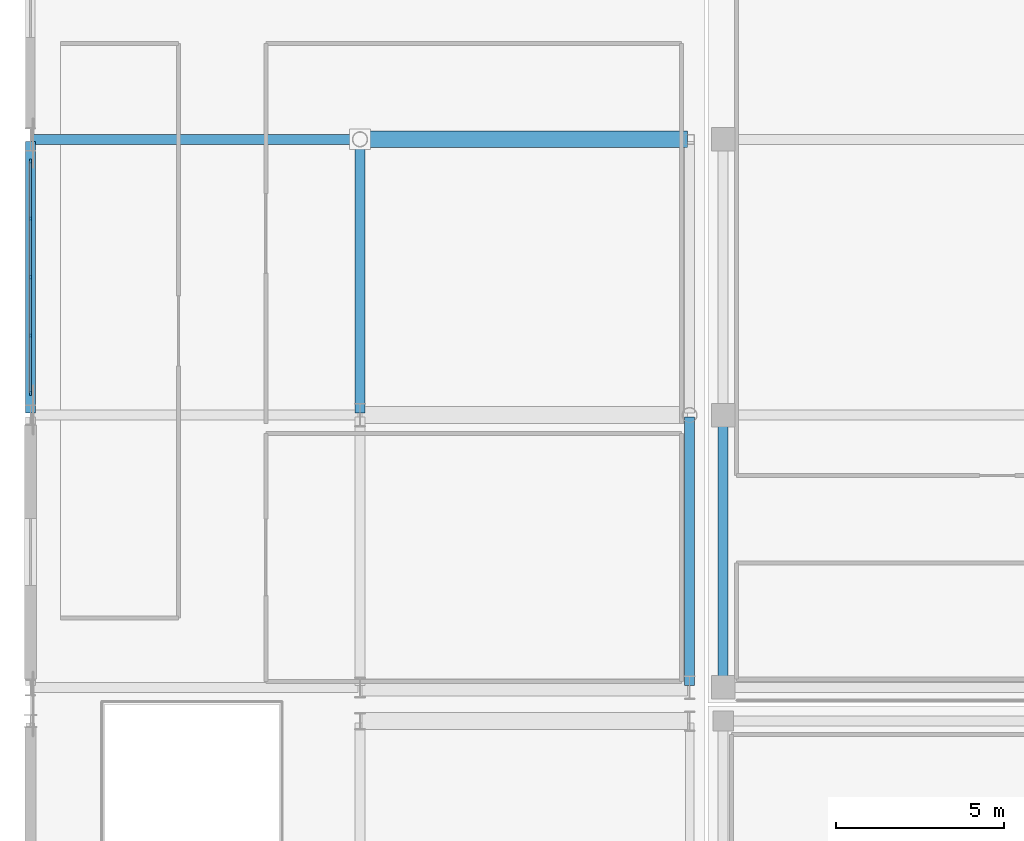
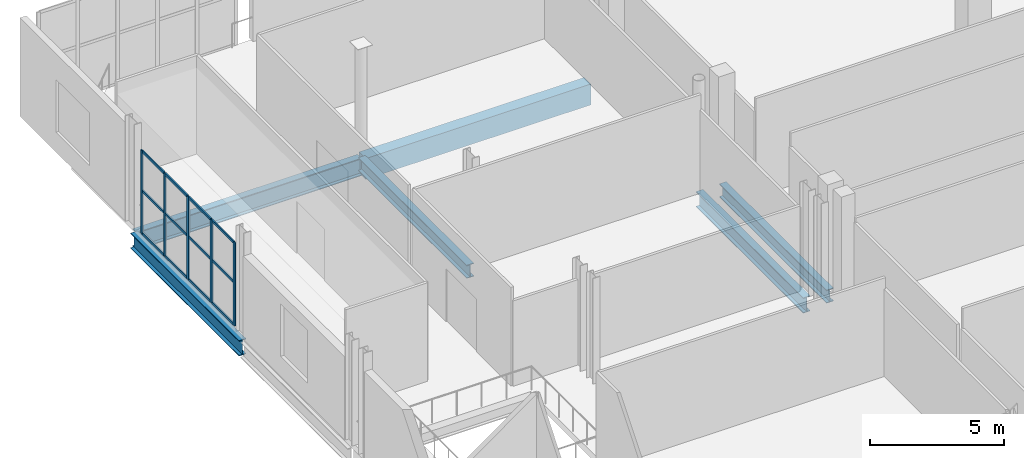
# One storey, part 60 of 142: 17 members, 6 beams, 1 element without a shape of its own.
"""IFC4 building model written with IfcOpenShell, lengths in metres."""

from ifc_helpers import new_model, si_unit, direction, frame, origin, origin_2d, place, context, subcontext, project, spatial, rectangle, i_section, extrude, material, material_profile, profile_set, type_object, element, aggregate, save


model = new_model("IFC4")

# Units and contexts
model_context = context("Model", 3, precision=1e-05, world=origin(), true_north=direction((0.0, 1.0)))
body_context = subcontext(model_context, "Body", "Model", "MODEL_VIEW")
ifc_project = project(units=[si_unit("LENGTHUNIT", "METRE"), si_unit("AREAUNIT", "SQUARE_METRE"), si_unit("VOLUMEUNIT", "CUBIC_METRE"), si_unit("PLANEANGLEUNIT", "RADIAN"), si_unit("MASSUNIT", "GRAM", prefix="KILO")], contexts=[model_context])

# Site, building, storey
site_placement = place(None, origin())
site = spatial("IfcSite", under=ifc_project, at=site_placement, CompositionType="ELEMENT")
building_placement = place(site_placement, origin())
building = spatial("IfcBuilding", under=site, at=building_placement, Name="Koshinbarg Plaza Stadium", CompositionType="ELEMENT")
storey_placement = place(building_placement, frame((0.0, 0.0, 10.199951171875)))
storey = spatial("IfcBuildingStorey", under=building, at=storey_placement, Name="L02", CompositionType="ELEMENT", Elevation=10.199951171875)

# Beams
ifc_material_1 = material(Name="Concrete C40/50", Category="concrete")
ifc_material_profile_1 = material_profile(ifc_material_1, rectangle(XDim=0.5, YDim=0.949951171875, at=origin_2d()), Name="RC 500x950")
ifc_profile_set_1 = profile_set([ifc_material_profile_1], Name="Concrete C40/50")
beam_type_1 = type_object("IfcBeamType", Name="BM-RCG-06", PredefinedType="USERDEFINED", material=ifc_profile_set_1)
beam_1_placement = place(storey_placement, frame((13.860107421875, 143.800048828125, -0.77490234375), z_axis=(1.0, 0.0, 0.0), x_axis=(0.0, 1.0, 0.0)))
element("IfcBeam", 1, at=beam_1_placement, inside=storey, type_object=beam_type_1, Name="L02 X girder U/3-4", ObjectType="GIRDER", PredefinedType="USERDEFINED", context=body_context, shape_type="SweptSolid", body=[
    extrude(rectangle(XDim=0.5, YDim=0.949951171875, at=origin_2d()), origin(), (0.0, 0.0, 1.0), 9.679931640625),
])
ifc_material_2 = material(Name="Steel S355", Category="steel")
ifc_material_profile_2 = material_profile(ifc_material_2, i_section(OverallWidth=0.300048828125, OverallDepth=0.60009765625, WebThickness=0.015380859375, FlangeThickness=0.030029296875, at=origin_2d()), Name="HEB 600")
ifc_profile_set_2 = profile_set([ifc_material_profile_2], Name="Steel S355")
beam_type_2 = type_object("IfcBeamType", Name="BM-SGIR-02", PredefinedType="USERDEFINED", material=ifc_profile_set_2)
beam_2_placement = place(storey_placement, frame((13.800048828125, 135.659912109375, -0.599853515625), z_axis=(0.0, 1.0, 0.0), x_axis=(-1.0, 0.0, 0.0)))
element("IfcBeam", 2, at=beam_2_placement, inside=storey, type_object=beam_type_2, Name="L02 Y girder 3/T-U", ObjectType="GIRDER", PredefinedType="USERDEFINED", context=body_context, shape_type="SweptSolid", body=[
    extrude(i_section(OverallWidth=0.300048828125, OverallDepth=0.60009765625, WebThickness=0.015380859375, FlangeThickness=0.030029296875, at=origin_2d()), origin(), (0.0, 0.0, 1.0), 8.080078125),
])
beam_3_placement = place(storey_placement, frame((24.60009765625, 127.56005859375, -0.599853515625), z_axis=(0.0, 1.0, 0.0), x_axis=(-1.0, 0.0, 0.0)))
element("IfcBeam", 3, at=beam_3_placement, inside=storey, type_object=beam_type_2, Name="L02 Y girder 5/S-T", ObjectType="GIRDER", PredefinedType="USERDEFINED", context=body_context, shape_type="SweptSolid", body=[
    extrude(i_section(OverallWidth=0.300048828125, OverallDepth=0.60009765625, WebThickness=0.015380859375, FlangeThickness=0.030029296875, at=origin_2d()), origin(), (0.0, 0.0, 1.0), 7.97998046875),
])
ifc_material_profile_3 = material_profile(ifc_material_2, i_section(OverallWidth=0.300048828125, OverallDepth=0.699951171875, WebThickness=0.01708984375, FlangeThickness=0.031982421875, at=origin_2d()), Name="HEB 700")
ifc_profile_set_3 = profile_set([ifc_material_profile_3], Name="Steel S355")
beam_type_3 = type_object("IfcBeamType", Name="BM-SGIR-03", PredefinedType="USERDEFINED", material=ifc_profile_set_3)
beam_4_placement = place(storey_placement, frame((4.0, 135.659912109375, -0.64990234375), z_axis=(0.0, 1.0, 0.0), x_axis=(-1.0, 0.0, 0.0)))
element("IfcBeam", 4, at=beam_4_placement, inside=storey, type_object=beam_type_3, Name="L02 Y girder 2/T-U", ObjectType="GIRDER", PredefinedType="USERDEFINED", context=body_context, shape_type="SweptSolid", body=[
    extrude(i_section(OverallWidth=0.300048828125, OverallDepth=0.699951171875, WebThickness=0.01708984375, FlangeThickness=0.031982421875, at=origin_2d()), origin(), (0.0, 0.0, 1.0), 8.080078125),
])
beam_5_placement = place(storey_placement, frame((23.60009765625, 127.56005859375, -0.64990234375), z_axis=(0.0, 1.0, 0.0), x_axis=(-1.0, 0.0, 0.0)))
element("IfcBeam", 5, at=beam_5_placement, inside=storey, type_object=beam_type_3, Name="L02 Y girder 4/S-T", ObjectType="GIRDER", PredefinedType="USERDEFINED", context=body_context, shape_type="SweptSolid", body=[
    extrude(i_section(OverallWidth=0.300048828125, OverallDepth=0.699951171875, WebThickness=0.01708984375, FlangeThickness=0.031982421875, at=origin_2d()), origin(), (0.0, 0.0, 1.0), 7.97998046875),
])
ifc_material_profile_4 = material_profile(ifc_material_2, i_section(OverallWidth=0.300048828125, OverallDepth=0.800048828125, WebThickness=0.017578125, FlangeThickness=0.032958984375, at=origin_2d()), Name="HEB 800")
ifc_profile_set_4 = profile_set([ifc_material_profile_4], Name="Steel S355")
beam_type_4 = type_object("IfcBeamType", Name="BM-SGIR-04", PredefinedType="USERDEFINED", material=ifc_profile_set_4)
beam_6_placement = place(storey_placement, frame((4.06005859375, 143.800048828125, -0.699951171875), z_axis=(1.0, 0.0, 0.0), x_axis=(0.0, 1.0, 0.0)))
element("IfcBeam", 6, at=beam_6_placement, inside=storey, type_object=beam_type_4, Name="L02 X girder U/2-3", ObjectType="GIRDER", PredefinedType="USERDEFINED", context=body_context, shape_type="SweptSolid", body=[
    extrude(i_section(OverallWidth=0.300048828125, OverallDepth=0.800048828125, WebThickness=0.017578125, FlangeThickness=0.032958984375, at=origin_2d()), origin(), (0.0, 0.0, 1.0), 9.679931640625),
])

# Curtain wall, members
ifc_material_3 = material(Name="Thermally broken anodised aluminium and low-E double glazing", Category="aluminium")
curtain_wall_type = type_object("IfcCurtainWallType", Name="CW-SYS-13", PredefinedType="NOTDEFINED", material=ifc_material_3)
curtain_wall_placement = place(storey_placement, origin())
curtain_wall = element("IfcCurtainWall", 7, at=curtain_wall_placement, inside=storey, type_object=curtain_wall_type, Name="L02 unitised curtain wall CW-L02-044", PredefinedType="NOTDEFINED")
ifc_material_4 = material(Name="Anodised aluminium mullion", Category="aluminium")
ifc_material_profile_5 = material_profile(ifc_material_4, rectangle(XDim=0.06005859375, YDim=0.139892578125, at=origin_2d()), Name="ALU 60x140")
ifc_profile_set_5 = profile_set([ifc_material_profile_5], Name="Anodised aluminium mullion")
member_type_1 = type_object("IfcMemberType", Name="CW-MUL-01", PredefinedType="MULLION", material=ifc_profile_set_5)
member_1_placement = place(storey_placement, frame((4.0, 136.25, 0.0), z_axis=(0.0, 0.0, 1.0), x_axis=(-1.0, 0.0, 0.0)))
member_1 = element("IfcMember", 8, at=member_1_placement, type_object=member_type_1, Name="CW13 mullion 1", PredefinedType="MULLION", context=body_context, shape_type="SweptSolid", body=[
    extrude(rectangle(XDim=0.06005859375, YDim=0.139892578125, at=origin_2d()), origin(), (0.0, 0.0, 1.0), 3.780029296875),
])
member_2_placement = place(storey_placement, frame((4.0, 137.9599609375, 0.0), z_axis=(0.0, 0.0, 1.0), x_axis=(-1.0, 0.0, 0.0)))
member_2 = element("IfcMember", 9, at=member_2_placement, type_object=member_type_1, Name="CW13 mullion 2", PredefinedType="MULLION", context=body_context, shape_type="SweptSolid", body=[
    extrude(rectangle(XDim=0.06005859375, YDim=0.139892578125, at=origin_2d()), origin(), (0.0, 0.0, 1.0), 3.780029296875),
])
member_3_placement = place(storey_placement, frame((4.0, 139.699951171875, 0.0), z_axis=(0.0, 0.0, 1.0), x_axis=(-1.0, 0.0, 0.0)))
member_3 = element("IfcMember", 10, at=member_3_placement, type_object=member_type_1, Name="CW13 mullion 3", PredefinedType="MULLION", context=body_context, shape_type="SweptSolid", body=[
    extrude(rectangle(XDim=0.06005859375, YDim=0.139892578125, at=origin_2d()), origin(), (0.0, 0.0, 1.0), 3.780029296875),
])
member_4_placement = place(storey_placement, frame((4.0, 141.43994140625, 0.0), z_axis=(0.0, 0.0, 1.0), x_axis=(-1.0, 0.0, 0.0)))
member_4 = element("IfcMember", 11, at=member_4_placement, type_object=member_type_1, Name="CW13 mullion 4", PredefinedType="MULLION", context=body_context, shape_type="SweptSolid", body=[
    extrude(rectangle(XDim=0.06005859375, YDim=0.139892578125, at=origin_2d()), origin(), (0.0, 0.0, 1.0), 3.780029296875),
])
member_5_placement = place(storey_placement, frame((4.0, 143.14990234375, 0.0), z_axis=(0.0, 0.0, 1.0), x_axis=(-1.0, 0.0, 0.0)))
member_5 = element("IfcMember", 12, at=member_5_placement, type_object=member_type_1, Name="CW13 mullion 5", PredefinedType="MULLION", context=body_context, shape_type="SweptSolid", body=[
    extrude(rectangle(XDim=0.06005859375, YDim=0.139892578125, at=origin_2d()), origin(), (0.0, 0.0, 1.0), 3.780029296875),
])
ifc_material_5 = material(Name="Anodised aluminium transom", Category="aluminium")
ifc_material_profile_6 = material_profile(ifc_material_5, rectangle(XDim=0.06005859375, YDim=0.110107421875, at=origin_2d()), Name="ALU 60x110")
ifc_profile_set_6 = profile_set([ifc_material_profile_6], Name="Anodised aluminium transom")
member_type_2 = type_object("IfcMemberType", Name="CW-TRN-01", PredefinedType="USERDEFINED", material=ifc_profile_set_6)
member_6_placement = place(storey_placement, frame((4.0, 136.280029296875, 0.030029296875), z_axis=(0.0, 1.0, 0.0), x_axis=(-1.0, 0.0, 0.0)))
member_6 = element("IfcMember", 13, at=member_6_placement, type_object=member_type_2, Name="CW13 transom 1.1", ObjectType="TRANSOM", PredefinedType="USERDEFINED", context=body_context, shape_type="SweptSolid", body=[
    extrude(rectangle(XDim=0.06005859375, YDim=0.110107421875, at=origin_2d()), origin(), (0.0, 0.0, 1.0), 1.64990234375),
])
member_7_placement = place(storey_placement, frame((4.0, 136.280029296875, 1.965576171875), z_axis=(0.0, 1.0, 0.0), x_axis=(-1.0, 0.0, 0.0)))
member_7 = element("IfcMember", 14, at=member_7_placement, type_object=member_type_2, Name="CW13 transom 1.2", ObjectType="TRANSOM", PredefinedType="USERDEFINED", context=body_context, shape_type="SweptSolid", body=[
    extrude(rectangle(XDim=0.06005859375, YDim=0.110107421875, at=origin_2d()), origin(), (0.0, 0.0, 1.0), 1.64990234375),
])
member_8_placement = place(storey_placement, frame((4.0, 136.280029296875, 3.75), z_axis=(0.0, 1.0, 0.0), x_axis=(-1.0, 0.0, 0.0)))
member_8 = element("IfcMember", 15, at=member_8_placement, type_object=member_type_2, Name="CW13 transom 1.3", ObjectType="TRANSOM", PredefinedType="USERDEFINED", context=body_context, shape_type="SweptSolid", body=[
    extrude(rectangle(XDim=0.06005859375, YDim=0.110107421875, at=origin_2d()), origin(), (0.0, 0.0, 1.0), 1.64990234375),
])
member_9_placement = place(storey_placement, frame((4.0, 137.989990234375, 0.030029296875), z_axis=(0.0, 1.0, 0.0), x_axis=(-1.0, 0.0, 0.0)))
member_9 = element("IfcMember", 16, at=member_9_placement, type_object=member_type_2, Name="CW13 transom 2.1", ObjectType="TRANSOM", PredefinedType="USERDEFINED", context=body_context, shape_type="SweptSolid", body=[
    extrude(rectangle(XDim=0.06005859375, YDim=0.110107421875, at=origin_2d()), origin(), (0.0, 0.0, 1.0), 1.679931640625),
])
member_10_placement = place(storey_placement, frame((4.0, 137.989990234375, 1.965576171875), z_axis=(0.0, 1.0, 0.0), x_axis=(-1.0, 0.0, 0.0)))
member_10 = element("IfcMember", 17, at=member_10_placement, type_object=member_type_2, Name="CW13 transom 2.2", ObjectType="TRANSOM", PredefinedType="USERDEFINED", context=body_context, shape_type="SweptSolid", body=[
    extrude(rectangle(XDim=0.06005859375, YDim=0.110107421875, at=origin_2d()), origin(), (0.0, 0.0, 1.0), 1.679931640625),
])
member_11_placement = place(storey_placement, frame((4.0, 137.989990234375, 3.75), z_axis=(0.0, 1.0, 0.0), x_axis=(-1.0, 0.0, 0.0)))
member_11 = element("IfcMember", 18, at=member_11_placement, type_object=member_type_2, Name="CW13 transom 2.3", ObjectType="TRANSOM", PredefinedType="USERDEFINED", context=body_context, shape_type="SweptSolid", body=[
    extrude(rectangle(XDim=0.06005859375, YDim=0.110107421875, at=origin_2d()), origin(), (0.0, 0.0, 1.0), 1.679931640625),
])
member_12_placement = place(storey_placement, frame((4.0, 139.72998046875, 0.030029296875), z_axis=(0.0, 1.0, 0.0), x_axis=(-1.0, 0.0, 0.0)))
member_12 = element("IfcMember", 19, at=member_12_placement, type_object=member_type_2, Name="CW13 transom 3.1", ObjectType="TRANSOM", PredefinedType="USERDEFINED", context=body_context, shape_type="SweptSolid", body=[
    extrude(rectangle(XDim=0.06005859375, YDim=0.110107421875, at=origin_2d()), origin(), (0.0, 0.0, 1.0), 1.679931640625),
])
member_13_placement = place(storey_placement, frame((4.0, 139.72998046875, 1.965576171875), z_axis=(0.0, 1.0, 0.0), x_axis=(-1.0, 0.0, 0.0)))
member_13 = element("IfcMember", 20, at=member_13_placement, type_object=member_type_2, Name="CW13 transom 3.2", ObjectType="TRANSOM", PredefinedType="USERDEFINED", context=body_context, shape_type="SweptSolid", body=[
    extrude(rectangle(XDim=0.06005859375, YDim=0.110107421875, at=origin_2d()), origin(), (0.0, 0.0, 1.0), 1.679931640625),
])
member_14_placement = place(storey_placement, frame((4.0, 139.72998046875, 3.75), z_axis=(0.0, 1.0, 0.0), x_axis=(-1.0, 0.0, 0.0)))
member_14 = element("IfcMember", 21, at=member_14_placement, type_object=member_type_2, Name="CW13 transom 3.3", ObjectType="TRANSOM", PredefinedType="USERDEFINED", context=body_context, shape_type="SweptSolid", body=[
    extrude(rectangle(XDim=0.06005859375, YDim=0.110107421875, at=origin_2d()), origin(), (0.0, 0.0, 1.0), 1.679931640625),
])
member_15_placement = place(storey_placement, frame((4.0, 141.469970703125, 0.030029296875), z_axis=(0.0, 1.0, 0.0), x_axis=(-1.0, 0.0, 0.0)))
member_15 = element("IfcMember", 22, at=member_15_placement, type_object=member_type_2, Name="CW13 transom 4.1", ObjectType="TRANSOM", PredefinedType="USERDEFINED", context=body_context, shape_type="SweptSolid", body=[
    extrude(rectangle(XDim=0.06005859375, YDim=0.110107421875, at=origin_2d()), origin(), (0.0, 0.0, 1.0), 1.650146484375),
])
member_16_placement = place(storey_placement, frame((4.0, 141.469970703125, 1.965576171875), z_axis=(0.0, 1.0, 0.0), x_axis=(-1.0, 0.0, 0.0)))
member_16 = element("IfcMember", 23, at=member_16_placement, type_object=member_type_2, Name="CW13 transom 4.2", ObjectType="TRANSOM", PredefinedType="USERDEFINED", context=body_context, shape_type="SweptSolid", body=[
    extrude(rectangle(XDim=0.06005859375, YDim=0.110107421875, at=origin_2d()), origin(), (0.0, 0.0, 1.0), 1.650146484375),
])
member_17_placement = place(storey_placement, frame((4.0, 141.469970703125, 3.75), z_axis=(0.0, 1.0, 0.0), x_axis=(-1.0, 0.0, 0.0)))
member_17 = element("IfcMember", 24, at=member_17_placement, type_object=member_type_2, Name="CW13 transom 4.3", ObjectType="TRANSOM", PredefinedType="USERDEFINED", context=body_context, shape_type="SweptSolid", body=[
    extrude(rectangle(XDim=0.06005859375, YDim=0.110107421875, at=origin_2d()), origin(), (0.0, 0.0, 1.0), 1.650146484375),
])
aggregate(curtain_wall, [member_1, member_2, member_3, member_4, member_5, member_6, member_7, member_8, member_9, member_10, member_11, member_12, member_13, member_14, member_15, member_16, member_17])

save(model, "model.ifc")
